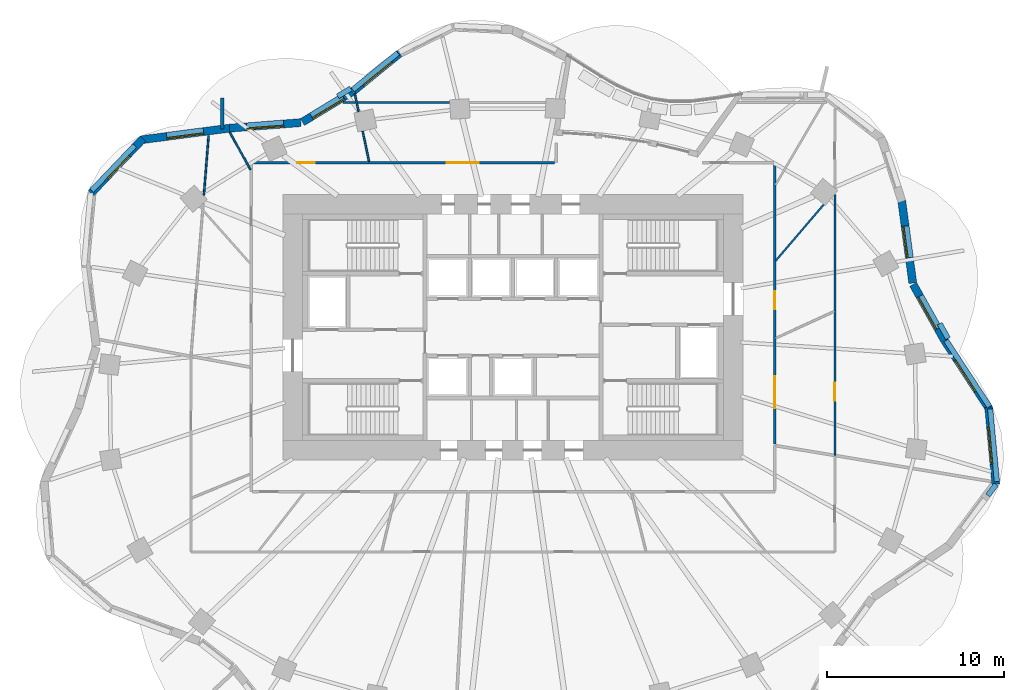
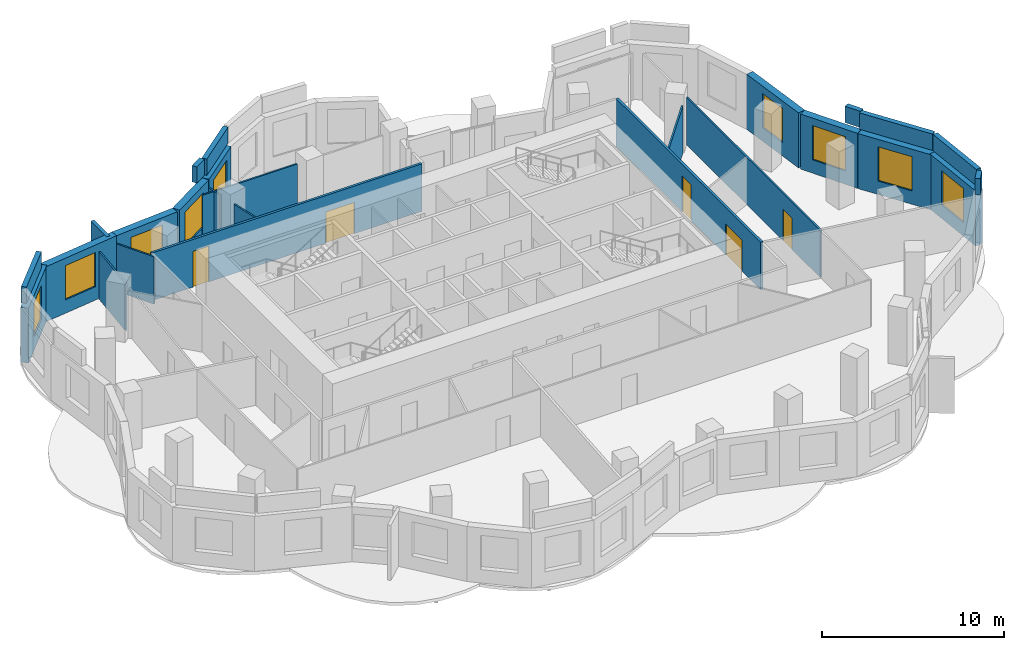
# One storey, part 8 of 11: 26 walls, 9 windows, 5 doors, 14 openings.
"""IFC4 building model written with IfcOpenShell, lengths in metres."""

import ifcopenshell
import ifcopenshell.guid

model = None  # the IFC model being written
_history = None  # IfcOwnerHistory: only IFC2X3 demands one
_inside = {}  # id of a spatial element -> (the spatial element, [elements in it])
_under = {}  # id of a project, library or spatial element -> (it, [spatial elements below it])
_declared = {}  # id of a project -> (the project, [libraries it declares])
_typed = {}  # id of a type object -> (the type object, [elements of that type])
_made_of = {}  # id of a material, layer set ... -> (it, [elements and type objects made of it])


def new_model(schema):
    """Start an empty IFC model of exactly this schema.

    Asked for "IFC4X3", IfcOpenShell would pick the latest addendum, in which some entities
    have other attributes; the version numbers below select the first issue.
    IFC2X3 requires an IfcOwnerHistory on every rooted entity: one is made here for all.
    """
    global model, _history
    if schema == "IFC4X3":
        model = ifcopenshell.file(schema_version=(4, 3, 0, 0))
    else:
        model = ifcopenshell.file(schema=schema)
    _inside.clear()
    _under.clear()
    _declared.clear()
    _typed.clear()
    _made_of.clear()
    _history = None
    if model.schema == "IFC2X3":
        org = make("IfcOrganization", Name="unknown")
        user = make(
            "IfcPersonAndOrganization",
            ThePerson=make("IfcPerson", FamilyName="unknown"),
            TheOrganization=org,
        )
        app = make(
            "IfcApplication",
            ApplicationDeveloper=org,
            Version="unknown",
            ApplicationFullName="unknown",
            ApplicationIdentifier="unknown",
        )
        _history = make(
            "IfcOwnerHistory",
            OwningUser=user,
            OwningApplication=app,
            ChangeAction="ADDED",
            CreationDate=0,
        )
    return model


def make(cls, **values):
    """One entity of the class cls with the attributes given. An attribute that is None is left unset."""
    return model.create_entity(
        cls, **{name: value for name, value in values.items() if value is not None}
    )


def rooted(cls, **values):
    """An entity with a GlobalId (a new one), such as an element, a storey or a relation."""
    return make(cls, GlobalId=ifcopenshell.guid.new(), OwnerHistory=_history, **values)


def si_unit(unit_type, name, prefix=None):
    """IfcSIUnit, for example si_unit("LENGTHUNIT", "METRE", prefix="MILLI")."""
    return make("IfcSIUnit", UnitType=unit_type, Prefix=prefix, Name=name)


def assignment(units):
    """IfcUnitAssignment: the units of a project."""
    return None if units is None else make("IfcUnitAssignment", Units=units)


def point(xyz):
    """IfcCartesianPoint."""
    return None if xyz is None else make("IfcCartesianPoint", Coordinates=xyz)


def direction(xyz):
    """IfcDirection."""
    return None if xyz is None else make("IfcDirection", DirectionRatios=xyz)


def frame(location, z_axis=None, x_axis=None):
    """IfcAxis2Placement3D, a coordinate frame: its origin and axes. An axis left out is left unset."""
    return make(
        "IfcAxis2Placement3D",
        Location=point(location),
        Axis=direction(z_axis),
        RefDirection=direction(x_axis),
    )


def frame_2d(location, x_axis=None):
    """IfcAxis2Placement2D, a coordinate frame in the plane: its origin and x axis."""
    return make(
        "IfcAxis2Placement2D", Location=point(location), RefDirection=direction(x_axis)
    )


def origin():
    """The frame at (0, 0, 0) with its axes left unset."""
    return frame((0.0, 0.0, 0.0))


def place(relative_to, where):
    """IfcLocalPlacement: puts the frame where relative to a parent placement (None: the world)."""
    return make(
        "IfcLocalPlacement", PlacementRelTo=relative_to, RelativePlacement=where
    )


def context(
    kind, dimensions, precision=None, world=None, true_north=None, identifier=None
):
    """IfcGeometricRepresentationContext, for example the 3D "Model" context."""
    return make(
        "IfcGeometricRepresentationContext",
        ContextIdentifier=identifier,
        ContextType=kind,
        CoordinateSpaceDimension=dimensions,
        Precision=precision,
        WorldCoordinateSystem=world,
        TrueNorth=true_north,
    )


def subcontext(parent, identifier, kind, view, scale=None):
    """IfcGeometricRepresentationSubContext, for example "Body" below "Model"."""
    return make(
        "IfcGeometricRepresentationSubContext",
        ContextIdentifier=identifier,
        ContextType=kind,
        ParentContext=parent,
        TargetScale=scale,
        TargetView=view,
    )


def project(units=None, contexts=None):
    """IfcProject with its units and contexts."""
    return rooted(
        "IfcProject",
        Name="project",
        RepresentationContexts=contexts,
        UnitsInContext=assignment(units),
    )


def spatial(cls, under=None, at=None, **own):
    """A site, building, storey or space (cls), placed at a placement, below another one or the project."""
    s = rooted(cls, ObjectPlacement=at, **own)
    if under is not None:
        _under.setdefault(under.id(), (under, []))[1].append(s)
    return s


def profile(cls, at=None, kind="AREA", **sizes):
    """A parametric profile (cls). Its sizes go by their IFC names, for example OverallWidth=200.0."""
    return make(cls, ProfileType=kind, Position=at, **sizes)


def rectangle(**sizes):
    """IfcRectangleProfileDef."""
    return profile("IfcRectangleProfileDef", **sizes)


def extrude(swept, where, along, depth):
    """IfcExtrudedAreaSolid: the profile swept, set in the frame where, extruded along a direction by depth."""
    return make(
        "IfcExtrudedAreaSolid",
        SweptArea=swept,
        Position=where,
        ExtrudedDirection=direction(along),
        Depth=depth,
    )


def shape(context_of_items, identifier, shape_type, items):
    """IfcShapeRepresentation: the items that make up one representation, for example the "Body"."""
    return make(
        "IfcShapeRepresentation",
        ContextOfItems=context_of_items,
        RepresentationIdentifier=identifier,
        RepresentationType=shape_type,
        Items=items,
    )


def material(Name=None, Category=None):
    """IfcMaterial."""
    return make("IfcMaterial", Name=Name, Category=Category)


def layer(
    of_material, thickness, ventilated=None, Name=None, Category=None, Priority=None
):
    """IfcMaterialLayer: one layer of a wall or slab, of a material (None: an air gap)."""
    return make(
        "IfcMaterialLayer",
        Material=of_material,
        LayerThickness=thickness,
        IsVentilated=ventilated,
        Name=Name,
        Category=Category,
        Priority=Priority,
    )


def layer_set(layers, Name=None):
    """IfcMaterialLayerSet."""
    return make("IfcMaterialLayerSet", MaterialLayers=layers, LayerSetName=Name)


def made_of(thing, what):
    """Note that an element or type object is made of a material, layer set ...; save() writes the relation."""
    if what is not None:
        _made_of.setdefault(what.id(), (what, []))[1].append(thing)
    return thing


def type_object(cls, material=None, **own):
    """A type object (cls), such as IfcWallType, which elements share."""
    return made_of(rooted(cls, **own), material)


def element(
    cls,
    number,
    at=None,
    inside=None,
    cuts=None,
    type_object=None,
    material=None,
    context=None,
    identifier="Body",
    shape_type=None,
    held_by="IfcProductDefinitionShape",
    body=None,
    shapes=None,
    **own,
):
    """One element of the class cls, such as IfcWall. Its Tag is "e" and its number.

    at: its placement. inside: the storey or other place that contains it. cuts: it is an
    opening in that element (IfcRelVoidsElement). A single representation is given by context,
    identifier, shape_type and body (its items); several are given by shapes. held_by: the class
    of the entity that holds the representations. save() writes the other relations.
    """
    e = rooted(cls, Tag="e%d" % number, ObjectPlacement=at, **own)
    if body is not None:
        shapes = [shape(context, identifier, shape_type, body)]
    if shapes is not None:
        e.Representation = make(held_by, Representations=shapes)
    if inside is not None:
        _inside.setdefault(inside.id(), (inside, []))[1].append(e)
    if cuts is not None:
        rooted(
            "IfcRelVoidsElement", RelatingBuildingElement=cuts, RelatedOpeningElement=e
        )
    if type_object is not None:
        _typed.setdefault(type_object.id(), (type_object, []))[1].append(e)
    return made_of(e, material)


def fill(opening, filler):
    """IfcRelFillsElement: the door or window that sits in an opening."""
    return rooted(
        "IfcRelFillsElement",
        RelatingOpeningElement=opening,
        RelatedBuildingElement=filler,
    )


def aggregate(whole, parts):
    """IfcRelAggregates: a whole, such as a stair, and the parts it consists of."""
    return rooted("IfcRelAggregates", RelatingObject=whole, RelatedObjects=parts)


def save(model, path):
    """Write the relations noted so far, then the file.

    IfcRelAggregates (storeys below a building ...), IfcRelContainedInSpatialStructure (elements
    in a storey), IfcRelDefinesByType, IfcRelAssociatesMaterial and IfcRelDeclares: one each for
    every whole, place, type object, material and project.
    """
    for whole, parts in _under.values():
        aggregate(whole, parts)
    for where, things in _inside.values():
        rooted(
            "IfcRelContainedInSpatialStructure",
            RelatedElements=things,
            RelatingStructure=where,
        )
    for kind, things in _typed.values():
        rooted("IfcRelDefinesByType", RelatedObjects=things, RelatingType=kind)
    for what, things in _made_of.values():
        rooted("IfcRelAssociatesMaterial", RelatedObjects=things, RelatingMaterial=what)
    for by, libraries in _declared.values():
        rooted("IfcRelDeclares", RelatingContext=by, RelatedDefinitions=libraries)
    model.write(path)


model = new_model("IFC4")

# Units and contexts
model_context = context("Model", 3, precision=1e-05, world=origin(), true_north=direction((0.0, 1.0)))
body_context = subcontext(model_context, "Body", "Model", "MODEL_VIEW")
ifc_project = project(units=[si_unit("LENGTHUNIT", "METRE"), si_unit("AREAUNIT", "SQUARE_METRE"), si_unit("VOLUMEUNIT", "CUBIC_METRE"), si_unit("PLANEANGLEUNIT", "RADIAN"), si_unit("MASSUNIT", "GRAM", prefix="KILO")], contexts=[model_context])

# Site, building, storey
site_placement = place(None, origin())
site = spatial("IfcSite", under=ifc_project, at=site_placement, CompositionType="ELEMENT")
building_placement = place(site_placement, origin())
building = spatial("IfcBuilding", under=site, at=building_placement, Name="Rubra Terraces Tower", CompositionType="ELEMENT")
storey_placement = place(building_placement, frame((0.0, 0.0, 146.10009765625)))
storey = spatial("IfcBuildingStorey", under=building, at=storey_placement, Name="L35", CompositionType="ELEMENT", Elevation=146.10009765625)

# Wall, opening, window
ifc_material_1 = material(Name="Brick masonry red-brown", Category="masonry")
ifc_layer_1 = layer(ifc_material_1, 0.449951171875)
ifc_layer_set_1 = layer_set([ifc_layer_1], Name="Brick masonry red-brown")
wall_type_1 = type_object("IfcWallType", Name="Brick facade wall 450", PredefinedType="SOLIDWALL", material=ifc_layer_set_1)
wall_1_placement = place(storey_placement, frame((26.92626953125, -0.119140625, 0.0), z_axis=(0.0, 0.0, 1.0), x_axis=(-0.547072638725, 0.837085137819, 0.0)))
wall_1 = element("IfcWall", 1, at=wall_1_placement, inside=storey, type_object=wall_type_1, Name="Facade wall L35 bay 1", PredefinedType="SOLIDWALL", context=body_context, shape_type="SweptSolid", body=[
    extrude(rectangle(XDim=4.61572265625, YDim=0.449951171875, at=frame_2d((2.307861328125, 0.0))), origin(), (0.0, 0.0, 1.0), 3.699951171875),
])
opening_1_placement = place(wall_1_placement, frame((1.2578125, 0.0, 0.89990234375)))
opening_1 = element("IfcOpeningElement", 2, at=opening_1_placement, cuts=wall_1, Name="Opening W1B", PredefinedType="OPENING", context=body_context, shape_type="SweptSolid", body=[
    extrude(rectangle(XDim=2.10009765625, YDim=2.300048828125, at=frame_2d((1.050048828125, 1.14990234375))), frame((0.0, 0.23486328125, 0.0), z_axis=(0.0, -1.0, 0.0), x_axis=(1.0, 0.0, 0.0)), (0.0, 0.0, 1.0), 0.469970703125),
])
ifc_material_2 = material(Name="Clear glass in aluminium frame", Category="aluminium")
window_type_1 = type_object("IfcWindowType", Name="Fixed deep-set window tall storey 2100 x 2300", PartitioningType="SINGLE_PANEL", PredefinedType="WINDOW", material=ifc_material_2)
window_1_placement = place(opening_1_placement, origin())
window_1 = element("IfcWindow", 3, at=window_1_placement, inside=storey, type_object=window_type_1, Name="Window L35 bay 1", OverallHeight=2.300048828125, OverallWidth=2.10009765625, PartitioningType="SINGLE_PANEL", PredefinedType="WINDOW", context=body_context, shape_type="SweptSolid", body=[
    extrude(rectangle(XDim=2.10009765625, YDim=2.300048828125, at=frame_2d((1.050048828125, 1.14990234375))), frame((0.0, 0.135009765625, 0.0), z_axis=(0.0, -1.0, 0.0), x_axis=(1.0, 0.0, 0.0)), (0.0, 0.0, 1.0), 0.06005859375),
])
fill(opening_1, window_1)

wall_2_placement = place(storey_placement, frame((24.392822265625, 3.759033203125, 0.0), z_axis=(0.0, 0.0, 1.0), x_axis=(-0.488324253004, 0.872662262234, 0.0)))
wall_2 = element("IfcWall", 4, at=wall_2_placement, inside=storey, type_object=wall_type_1, Name="Facade wall L35 bay 2", PredefinedType="SOLIDWALL", context=body_context, shape_type="SweptSolid", body=[
    extrude(rectangle(XDim=3.622802734375, YDim=0.449951171875, at=frame_2d((1.8115234375, 0.0))), origin(), (0.0, 0.0, 1.0), 3.699951171875),
])
opening_2_placement = place(wall_2_placement, frame((0.76123046875, 0.0, 0.89990234375)))
opening_2 = element("IfcOpeningElement", 5, at=opening_2_placement, cuts=wall_2, Name="Opening W1B", PredefinedType="OPENING", context=body_context, shape_type="SweptSolid", body=[
    extrude(rectangle(XDim=2.10009765625, YDim=2.300048828125, at=frame_2d((1.050048828125, 1.14990234375))), frame((0.0, 0.23486328125, 0.0), z_axis=(0.0, -1.0, 0.0), x_axis=(1.0, 0.0, 0.0)), (0.0, 0.0, 1.0), 0.469970703125),
])
window_2_placement = place(opening_2_placement, origin())
window_2 = element("IfcWindow", 6, at=window_2_placement, inside=storey, type_object=window_type_1, Name="Window L35 bay 2", OverallHeight=2.300048828125, OverallWidth=2.10009765625, PartitioningType="SINGLE_PANEL", PredefinedType="WINDOW", context=body_context, shape_type="SweptSolid", body=[
    extrude(rectangle(XDim=2.10009765625, YDim=2.300048828125, at=frame_2d((1.050048828125, 1.14990234375))), frame((0.0, 0.135009765625, 0.0), z_axis=(0.0, -1.0, 0.0), x_axis=(1.0, 0.0, 0.0)), (0.0, 0.0, 1.0), 0.06005859375),
])
fill(opening_2, window_2)

wall_3_placement = place(storey_placement, frame((22.599853515625, 6.995361328125, 0.0), z_axis=(0.0, 0.0, 1.0), x_axis=(-0.132599346032, 0.991169719792, 0.0)))
wall_3 = element("IfcWall", 7, at=wall_3_placement, inside=storey, type_object=wall_type_1, Name="Facade wall L35 bay 3", PredefinedType="SOLIDWALL", context=body_context, shape_type="SweptSolid", body=[
    extrude(rectangle(XDim=4.69873046875, YDim=0.449951171875, at=frame_2d((2.349365234375, 0.0))), origin(), (0.0, 0.0, 1.0), 3.699951171875),
])
opening_3_placement = place(wall_3_placement, frame((1.449462890625, 0.0, 0.89990234375)))
opening_3 = element("IfcOpeningElement", 8, at=opening_3_placement, cuts=wall_3, Name="Opening W6B", PredefinedType="OPENING", context=body_context, shape_type="SweptSolid", body=[
    extrude(rectangle(XDim=1.800048828125, YDim=2.300048828125, at=frame_2d((0.89990234375, 1.14990234375))), frame((0.0, 0.23486328125, 0.0), z_axis=(0.0, -1.0, 0.0), x_axis=(1.0, 0.0, 0.0)), (0.0, 0.0, 1.0), 0.469970703125),
])
window_type_2 = type_object("IfcWindowType", Name="Fixed deep-set window at wind fin tall storey 1800 x 2300", PartitioningType="SINGLE_PANEL", PredefinedType="WINDOW", material=ifc_material_2)
window_3_placement = place(opening_3_placement, origin())
window_3 = element("IfcWindow", 9, at=window_3_placement, inside=storey, type_object=window_type_2, Name="Window L35 bay 3", OverallHeight=2.300048828125, OverallWidth=1.800048828125, PartitioningType="SINGLE_PANEL", PredefinedType="WINDOW", context=body_context, shape_type="SweptSolid", body=[
    extrude(rectangle(XDim=1.800048828125, YDim=2.300048828125, at=frame_2d((0.89990234375, 1.14990234375))), frame((0.0, 0.135009765625, 0.0), z_axis=(0.0, -1.0, 0.0), x_axis=(1.0, 0.0, 0.0)), (0.0, 0.0, 1.0), 0.06005859375),
])
fill(opening_3, window_3)

wall_4_placement = place(storey_placement, frame((-6.410888671875, 19.983154296875, 0.0), z_axis=(0.0, 0.0, 1.0), x_axis=(-0.774810240287, -0.632193871804, 0.0)))
wall_4 = element("IfcWall", 10, at=wall_4_placement, inside=storey, type_object=wall_type_1, Name="Facade wall L35 bay 13", PredefinedType="SOLIDWALL", context=body_context, shape_type="SweptSolid", body=[
    extrude(rectangle(XDim=3.389404296875, YDim=0.449951171875, at=frame_2d((1.69482421875, 0.0))), origin(), (0.0, 0.0, 1.0), 3.699951171875),
])
opening_4_placement = place(wall_4_placement, frame((0.644775390625, 0.0, 0.89990234375)))
opening_4 = element("IfcOpeningElement", 11, at=opening_4_placement, cuts=wall_4, Name="Opening W1B", PredefinedType="OPENING", context=body_context, shape_type="SweptSolid", body=[
    extrude(rectangle(XDim=2.10009765625, YDim=2.300048828125, at=frame_2d((1.050048828125, 1.14990234375))), frame((0.0, 0.23486328125, 0.0), z_axis=(0.0, -1.0, 0.0), x_axis=(1.0, 0.0, 0.0)), (0.0, 0.0, 1.0), 0.469970703125),
])
window_4_placement = place(opening_4_placement, origin())
window_4 = element("IfcWindow", 12, at=window_4_placement, inside=storey, type_object=window_type_1, Name="Window L35 bay 13", OverallHeight=2.300048828125, OverallWidth=2.10009765625, PartitioningType="SINGLE_PANEL", PredefinedType="WINDOW", context=body_context, shape_type="SweptSolid", body=[
    extrude(rectangle(XDim=2.10009765625, YDim=2.300048828125, at=frame_2d((1.050048828125, 1.14990234375))), frame((0.0, 0.135009765625, 0.0), z_axis=(0.0, -1.0, 0.0), x_axis=(1.0, 0.0, 0.0)), (0.0, 0.0, 1.0), 0.06005859375),
])
fill(opening_4, window_4)

wall_5_placement = place(storey_placement, frame((-9.06298828125, 17.82275390625, 0.0), z_axis=(0.0, 0.0, 1.0), x_axis=(-0.854622263029, -0.519250216693, 0.0)))
wall_5 = element("IfcWall", 13, at=wall_5_placement, inside=storey, type_object=wall_type_1, Name="Facade wall L35 bay 14", PredefinedType="SOLIDWALL", context=body_context, shape_type="SweptSolid", body=[
    extrude(rectangle(XDim=3.32470703125, YDim=0.449951171875, at=frame_2d((1.662353515625, 0.0))), origin(), (0.0, 0.0, 1.0), 3.699951171875),
])
opening_5_placement = place(wall_5_placement, frame((0.6123046875, 0.0, 0.89990234375)))
opening_5 = element("IfcOpeningElement", 14, at=opening_5_placement, cuts=wall_5, Name="Opening W1B", PredefinedType="OPENING", context=body_context, shape_type="SweptSolid", body=[
    extrude(rectangle(XDim=2.10009765625, YDim=2.300048828125, at=frame_2d((1.050048828125, 1.14990234375))), frame((0.0, 0.23486328125, 0.0), z_axis=(0.0, -1.0, 0.0), x_axis=(1.0, 0.0, 0.0)), (0.0, 0.0, 1.0), 0.469970703125),
])
window_5_placement = place(opening_5_placement, origin())
window_5 = element("IfcWindow", 15, at=window_5_placement, inside=storey, type_object=window_type_1, Name="Window L35 bay 14", OverallHeight=2.300048828125, OverallWidth=2.10009765625, PartitioningType="SINGLE_PANEL", PredefinedType="WINDOW", context=body_context, shape_type="SweptSolid", body=[
    extrude(rectangle(XDim=2.10009765625, YDim=2.300048828125, at=frame_2d((1.050048828125, 1.14990234375))), frame((0.0, 0.135009765625, 0.0), z_axis=(0.0, -1.0, 0.0), x_axis=(1.0, 0.0, 0.0)), (0.0, 0.0, 1.0), 0.06005859375),
])
fill(opening_5, window_5)

wall_6_placement = place(storey_placement, frame((-11.9951171875, 16.06689453125, 0.0), z_axis=(0.0, 0.0, 1.0), x_axis=(-0.996967993416, -0.077812724559, 0.0)))
wall_6 = element("IfcWall", 16, at=wall_6_placement, inside=storey, type_object=wall_type_1, Name="Facade wall L35 bay 15", PredefinedType="SOLIDWALL", context=body_context, shape_type="SweptSolid", body=[
    extrude(rectangle(XDim=4.04736328125, YDim=0.449951171875, at=frame_2d((2.023681640625, 0.0))), origin(), (0.0, 0.0, 1.0), 3.699951171875),
])
opening_6_placement = place(wall_6_placement, frame((0.9736328125, 0.0, 0.89990234375)))
opening_6 = element("IfcOpeningElement", 17, at=opening_6_placement, cuts=wall_6, Name="Opening W1B", PredefinedType="OPENING", context=body_context, shape_type="SweptSolid", body=[
    extrude(rectangle(XDim=2.10009765625, YDim=2.300048828125, at=frame_2d((1.050048828125, 1.14990234375))), frame((0.0, 0.23486328125, 0.0), z_axis=(0.0, -1.0, 0.0), x_axis=(1.0, 0.0, 0.0)), (0.0, 0.0, 1.0), 0.469970703125),
])
window_6_placement = place(opening_6_placement, origin())
window_6 = element("IfcWindow", 18, at=window_6_placement, inside=storey, type_object=window_type_1, Name="Window L35 bay 15", OverallHeight=2.300048828125, OverallWidth=2.10009765625, PartitioningType="SINGLE_PANEL", PredefinedType="WINDOW", context=body_context, shape_type="SweptSolid", body=[
    extrude(rectangle(XDim=2.10009765625, YDim=2.300048828125, at=frame_2d((1.050048828125, 1.14990234375))), frame((0.0, 0.135009765625, 0.0), z_axis=(0.0, -1.0, 0.0), x_axis=(1.0, 0.0, 0.0)), (0.0, 0.0, 1.0), 0.06005859375),
])
fill(opening_6, window_6)

wall_7_placement = place(storey_placement, frame((-16.019287109375, 15.75341796875, 0.0), z_axis=(0.0, 0.0, 1.0), x_axis=(-0.991409967396, -0.130790965086, 0.0)))
wall_7 = element("IfcWall", 19, at=wall_7_placement, inside=storey, type_object=wall_type_1, Name="Facade wall L35 bay 16", PredefinedType="SOLIDWALL", context=body_context, shape_type="SweptSolid", body=[
    extrude(rectangle(XDim=5.06787109375, YDim=0.449951171875, at=frame_2d((2.533935546875, 0.0))), origin(), (0.0, 0.0, 1.0), 3.699951171875),
])
opening_7_placement = place(wall_7_placement, frame((1.48388671875, 0.0, 0.89990234375)))
opening_7 = element("IfcOpeningElement", 20, at=opening_7_placement, cuts=wall_7, Name="Opening W1B", PredefinedType="OPENING", context=body_context, shape_type="SweptSolid", body=[
    extrude(rectangle(XDim=2.10009765625, YDim=2.300048828125, at=frame_2d((1.050048828125, 1.14990234375))), frame((0.0, 0.23486328125, 0.0), z_axis=(0.0, -1.0, 0.0), x_axis=(1.0, 0.0, 0.0)), (0.0, 0.0, 1.0), 0.469970703125),
])
window_7_placement = place(opening_7_placement, origin())
window_7 = element("IfcWindow", 21, at=window_7_placement, inside=storey, type_object=window_type_1, Name="Window L35 bay 16", OverallHeight=2.300048828125, OverallWidth=2.10009765625, PartitioningType="SINGLE_PANEL", PredefinedType="WINDOW", context=body_context, shape_type="SweptSolid", body=[
    extrude(rectangle(XDim=2.10009765625, YDim=2.300048828125, at=frame_2d((1.050048828125, 1.14990234375))), frame((0.0, 0.135009765625, 0.0), z_axis=(0.0, -1.0, 0.0), x_axis=(1.0, 0.0, 0.0)), (0.0, 0.0, 1.0), 0.06005859375),
])
fill(opening_7, window_7)

wall_8_placement = place(storey_placement, frame((-20.914306640625, 15.15771484375, 0.0), z_axis=(0.0, 0.0, 1.0), x_axis=(-0.690057851873, -0.723754213161, 0.0)))
wall_8 = element("IfcWall", 22, at=wall_8_placement, inside=storey, type_object=wall_type_1, Name="Facade wall L35 bay 17", PredefinedType="SOLIDWALL", context=body_context, shape_type="SweptSolid", body=[
    extrude(rectangle(XDim=4.2529296875, YDim=0.449951171875, at=frame_2d((2.12646484375, 0.0))), origin(), (0.0, 0.0, 1.0), 3.699951171875),
])
opening_8_placement = place(wall_8_placement, frame((1.2265625, 0.0, 0.89990234375)))
opening_8 = element("IfcOpeningElement", 23, at=opening_8_placement, cuts=wall_8, Name="Opening W6B", PredefinedType="OPENING", context=body_context, shape_type="SweptSolid", body=[
    extrude(rectangle(XDim=1.800048828125, YDim=2.300048828125, at=frame_2d((0.89990234375, 1.14990234375))), frame((0.0, 0.23486328125, 0.0), z_axis=(0.0, -1.0, 0.0), x_axis=(1.0, 0.0, 0.0)), (0.0, 0.0, 1.0), 0.469970703125),
])
window_8_placement = place(opening_8_placement, origin())
window_8 = element("IfcWindow", 24, at=window_8_placement, inside=storey, type_object=window_type_2, Name="Window L35 bay 17", OverallHeight=2.300048828125, OverallWidth=1.800048828125, PartitioningType="SINGLE_PANEL", PredefinedType="WINDOW", context=body_context, shape_type="SweptSolid", body=[
    extrude(rectangle(XDim=1.800048828125, YDim=2.300048828125, at=frame_2d((0.89990234375, 1.14990234375))), frame((0.0, 0.135009765625, 0.0), z_axis=(0.0, -1.0, 0.0), x_axis=(1.0, 0.0, 0.0)), (0.0, 0.0, 1.0), 0.06005859375),
])
fill(opening_8, window_8)

wall_9_placement = place(storey_placement, frame((27.2958984375, -4.379638671875, 0.0), z_axis=(0.0, 0.0, 1.0), x_axis=(-0.092079421996, 0.995751665851, 0.0)))
wall_9 = element("IfcWall", 25, at=wall_9_placement, inside=storey, type_object=wall_type_1, Name="Facade wall L35 bay 40", PredefinedType="SOLIDWALL", context=body_context, shape_type="SweptSolid", body=[
    extrude(rectangle(XDim=4.37744140625, YDim=0.449951171875, at=frame_2d((2.188720703125, 0.0))), origin(), (0.0, 0.0, 1.0), 3.699951171875),
])
opening_9_placement = place(wall_9_placement, frame((1.138916015625, 0.0, 0.89990234375)))
opening_9 = element("IfcOpeningElement", 26, at=opening_9_placement, cuts=wall_9, Name="Opening W1B", PredefinedType="OPENING", context=body_context, shape_type="SweptSolid", body=[
    extrude(rectangle(XDim=2.10009765625, YDim=2.300048828125, at=frame_2d((1.050048828125, 1.14990234375))), frame((0.0, 0.23486328125, 0.0), z_axis=(0.0, -1.0, 0.0), x_axis=(1.0, 0.0, 0.0)), (0.0, 0.0, 1.0), 0.469970703125),
])
window_9_placement = place(opening_9_placement, origin())
window_9 = element("IfcWindow", 27, at=window_9_placement, inside=storey, type_object=window_type_1, Name="Window L35 bay 40", OverallHeight=2.300048828125, OverallWidth=2.10009765625, PartitioningType="SINGLE_PANEL", PredefinedType="WINDOW", context=body_context, shape_type="SweptSolid", body=[
    extrude(rectangle(XDim=2.10009765625, YDim=2.300048828125, at=frame_2d((1.050048828125, 1.14990234375))), frame((0.0, 0.135009765625, 0.0), z_axis=(0.0, -1.0, 0.0), x_axis=(1.0, 0.0, 0.0)), (0.0, 0.0, 1.0), 0.06005859375),
])
fill(opening_9, window_9)

# Walls
ifc_layer_2 = layer(ifc_material_1, 0.300048828125)
ifc_layer_set_2 = layer_set([ifc_layer_2], Name="Brick masonry red-brown")
wall_type_2 = type_object("IfcWallType", Name="Brick parapet 300", PredefinedType="PARAPET", material=ifc_layer_set_2)
wall_10_placement = place(storey_placement, frame((26.934326171875, 0.005615234375, 3.89990234375), z_axis=(0.0, 0.0, 1.0), x_axis=(-0.547070260179, 0.837086692301, 0.0)))
element("IfcWall", 28, at=wall_10_placement, inside=storey, type_object=wall_type_2, Name="Parapet L35 bay 1", PredefinedType="PARAPET", context=body_context, shape_type="SweptSolid", body=[
    extrude(rectangle(XDim=4.48095703125, YDim=0.300048828125, at=frame_2d((2.240478515625, 0.0))), origin(), (0.0, 0.0, 1.0), 1.10009765625),
])
wall_11_placement = place(storey_placement, frame((24.592041015625, 3.86376953125, 3.89990234375), z_axis=(0.0, 0.0, 1.0), x_axis=(-0.488379082049, 0.872631578742, 0.0)))
element("IfcWall", 29, at=wall_11_placement, inside=storey, type_object=wall_type_2, Name="Parapet L35 bay 2", PredefinedType="PARAPET", context=body_context, shape_type="SweptSolid", body=[
    extrude(rectangle(XDim=0.96142578125, YDim=0.300048828125, at=frame_2d((0.480712890625, 0.0))), origin(), (0.0, 0.0, 1.0), 1.10009765625),
])
wall_12_placement = place(storey_placement, frame((-6.5048828125, 20.00341796875, 3.89990234375), z_axis=(0.0, 0.0, 1.0), x_axis=(-0.774774389425, -0.632237807705, 0.0)))
element("IfcWall", 30, at=wall_12_placement, inside=storey, type_object=wall_type_2, Name="Parapet L35 bay 13", PredefinedType="PARAPET", context=body_context, shape_type="SweptSolid", body=[
    extrude(rectangle(XDim=3.298828125, YDim=0.300048828125, at=frame_2d((1.6494140625, 0.0))), origin(), (0.0, 0.0, 1.0), 1.10009765625),
])
wall_13_placement = place(storey_placement, frame((-9.164306640625, 17.9970703125, 3.89990234375), z_axis=(0.0, 0.0, 1.0), x_axis=(-0.854630396294, -0.519236830098, 0.0)))
element("IfcWall", 31, at=wall_13_placement, inside=storey, type_object=wall_type_2, Name="Parapet L35 bay 14", PredefinedType="PARAPET", context=body_context, shape_type="SweptSolid", body=[
    extrude(rectangle(XDim=0.86181640625, YDim=0.300048828125, at=frame_2d((0.430908203125, 0.0))), origin(), (0.0, 0.0, 1.0), 1.10009765625),
])
wall_14_placement = place(storey_placement, frame((-21.388427734375, 14.768798828125, 3.89990234375), z_axis=(0.0, 0.0, 1.0), x_axis=(-0.690144808601, -0.723671294969, 0.0)))
element("IfcWall", 32, at=wall_14_placement, inside=storey, type_object=wall_type_2, Name="Parapet L35 bay 17", PredefinedType="PARAPET", context=body_context, shape_type="SweptSolid", body=[
    extrude(rectangle(XDim=3.510009765625, YDim=0.300048828125, at=frame_2d((1.7548828125, 0.0))), origin(), (0.0, 0.0, 1.0), 1.10009765625),
])
wall_15_placement = place(storey_placement, frame((26.845458984375, -5.01318359375, 3.89990234375), z_axis=(0.0, 0.0, 1.0), x_axis=(0.597500991774, 0.801868171727, 0.0)))
element("IfcWall", 33, at=wall_15_placement, inside=storey, type_object=wall_type_2, Name="Parapet L35 bay 39", PredefinedType="PARAPET", context=body_context, shape_type="SweptSolid", body=[
    extrude(rectangle(XDim=0.782470703125, YDim=0.300048828125, at=frame_2d((0.39111328125, 0.0))), origin(), (0.0, 0.0, 1.0), 1.10009765625),
])
wall_16_placement = place(storey_placement, frame((27.357421875, -4.228515625, 3.89990234375), z_axis=(0.0, 0.0, 1.0), x_axis=(-0.092082019937, 0.99575142561, 0.0)))
element("IfcWall", 34, at=wall_16_placement, inside=storey, type_object=wall_type_2, Name="Parapet L35 bay 40", PredefinedType="PARAPET", context=body_context, shape_type="SweptSolid", body=[
    extrude(rectangle(XDim=4.128173828125, YDim=0.300048828125, at=frame_2d((2.06396484375, 0.0))), origin(), (0.0, 0.0, 1.0), 1.10009765625),
])
ifc_layer_3 = layer(ifc_material_1, 0.199951171875)
ifc_layer_set_3 = layer_set([ifc_layer_3], Name="Brick masonry red-brown")
wall_type_3 = type_object("IfcWallType", Name="Brick wind fin 200", PredefinedType="SOLIDWALL", material=ifc_layer_set_3)
wall_17_placement = place(storey_placement, frame((-16.43505859375, 15.7119140625, 0.0), z_axis=(0.0, 0.0, 1.0), x_axis=(0.000279017846, 0.999999961075, 0.0)))
element("IfcWall", 35, at=wall_17_placement, inside=storey, type_object=wall_type_3, Name="Wind fin L35 7", PredefinedType="SOLIDWALL", context=body_context, shape_type="SweptSolid", body=[
    extrude(rectangle(XDim=1.75, YDim=0.199951171875, at=frame_2d((0.875, 0.0))), origin(), (0.0, 0.0, 1.0), 3.699951171875),
])

# Wall, openings, doors
ifc_material_3 = material(Name="Plasterboard on steel stud, mineral wool infill", Category="steel")
ifc_layer_4 = layer(ifc_material_3, 0.14990234375)
ifc_layer_set_4 = layer_set([ifc_layer_4], Name="Plasterboard on steel stud, mineral wool infill")
wall_type_4 = type_object("IfcWallType", Name="CORRIDOR PARTITION 150", PredefinedType="PARTITIONING", material=ifc_layer_set_4)
wall_18_placement = place(storey_placement, frame((2.359619140625, 13.800048828125, 0.0), z_axis=(0.0, 0.0, 1.0), x_axis=(-1.0, 0.0, 0.0)))
wall_18 = element("IfcWall", 36, at=wall_18_placement, inside=storey, type_object=wall_type_4, Name="PARTITION", PredefinedType="PARTITIONING", context=body_context, shape_type="SweptSolid", body=[
    extrude(rectangle(XDim=17.15966796875, YDim=0.14990234375, at=frame_2d((8.579833984375, 0.0))), origin(), (0.0, 0.0, 1.0), 3.197998046875),
])
opening_10_placement = place(wall_18_placement, frame((4.302978515625, 0.0, 0.0)))
opening_10 = element("IfcOpeningElement", 37, at=opening_10_placement, cuts=wall_18, Name="Opening 35-101", PredefinedType="OPENING", context=body_context, shape_type="SweptSolid", body=[
    extrude(rectangle(XDim=1.800048828125, YDim=2.10009765625, at=frame_2d((0.89990234375, 1.050048828125))), frame((0.0, 0.0849609375, 0.0), z_axis=(0.0, -1.0, 0.0), x_axis=(1.0, 0.0, 0.0)), (0.0, 0.0, 1.0), 0.169921875),
])
opening_11_placement = place(wall_18_placement, frame((13.552978515625, 0.0, 0.0)))
opening_11 = element("IfcOpeningElement", 38, at=opening_11_placement, cuts=wall_18, Name="Opening 35-102", PredefinedType="OPENING", context=body_context, shape_type="SweptSolid", body=[
    extrude(rectangle(XDim=1.0, YDim=2.39990234375, at=frame_2d((0.5, 1.199951171875))), frame((0.0, 0.0849609375, 0.0), z_axis=(0.0, -1.0, 0.0), x_axis=(1.0, 0.0, 0.0)), (0.0, 0.0, 1.0), 0.169921875),
])
ifc_material_4 = material(Name="Glazed aluminium meeting door leaf", Category="aluminium")
door_type_1 = type_object("IfcDoorType", Name="MEETING ROOM GLAZED DOOR 1000 X 2400", OperationType="SINGLE_SWING_LEFT", PredefinedType="DOOR", material=ifc_material_4)
door_1_placement = place(opening_11_placement, origin())
door_1 = element("IfcDoor", 39, at=door_1_placement, inside=storey, type_object=door_type_1, Name="DOOR 35-102", OperationType="SINGLE_SWING_RIGHT", OverallHeight=2.39990234375, OverallWidth=1.0, PredefinedType="DOOR", context=body_context, shape_type="SweptSolid", body=[
    extrude(rectangle(XDim=1.0, YDim=2.39990234375, at=frame_2d((0.5, 1.199951171875))), frame((0.0, 0.02490234375, 0.0), z_axis=(0.0, -1.0, 0.0), x_axis=(1.0, 0.0, 0.0)), (0.0, 0.0, 1.0), 0.050048828125),
])
fill(opening_11, door_1)
ifc_material_5 = material(Name="Painted timber door leaf, double", Category="wood")
door_type_2 = type_object("IfcDoorType", Name="ROOM DOUBLE DOOR 1800 X 2100", OperationType="DOUBLE_DOOR_SINGLE_SWING", PredefinedType="DOOR", material=ifc_material_5)
door_2_placement = place(opening_10_placement, origin())
door_2 = element("IfcDoor", 40, at=door_2_placement, inside=storey, type_object=door_type_2, Name="DOOR 35-101", OperationType="DOUBLE_DOOR_SINGLE_SWING", OverallHeight=2.10009765625, OverallWidth=1.800048828125, PredefinedType="DOOR", context=body_context, shape_type="SweptSolid", body=[
    extrude(rectangle(XDim=1.800048828125, YDim=2.10009765625, at=frame_2d((0.89990234375, 1.050048828125))), frame((0.0, 0.02490234375, 0.0), z_axis=(0.0, -1.0, 0.0), x_axis=(1.0, 0.0, 0.0)), (0.0, 0.0, 1.0), 0.050048828125),
])
fill(opening_10, door_2)

wall_19_placement = place(storey_placement, frame((14.800048828125, -2.111083984375, 0.0), z_axis=(0.0, 0.0, 1.0), x_axis=(0.0, 1.0, 0.0)))
wall_19 = element("IfcWall", 41, at=wall_19_placement, inside=storey, type_object=wall_type_4, Name="PARTITION", PredefinedType="PARTITIONING", context=body_context, shape_type="SweptSolid", body=[
    extrude(rectangle(XDim=15.9111328125, YDim=0.14990234375, at=frame_2d((7.95556640625, 0.0))), origin(), (0.0, 0.0, 1.0), 3.197998046875),
])
opening_12_placement = place(wall_19_placement, frame((2.044921875, 0.0, 0.0)))
opening_12 = element("IfcOpeningElement", 42, at=opening_12_placement, cuts=wall_19, Name="Opening 35-113", PredefinedType="OPENING", context=body_context, shape_type="SweptSolid", body=[
    extrude(rectangle(XDim=1.800048828125, YDim=2.10009765625, at=frame_2d((0.89990234375, 1.050048828125))), frame((0.0, 0.0849609375, 0.0), z_axis=(0.0, -1.0, 0.0), x_axis=(1.0, 0.0, 0.0)), (0.0, 0.0, 1.0), 0.169921875),
])
opening_13_placement = place(wall_19_placement, frame((7.636962890625, 0.0, 0.0)))
opening_13 = element("IfcOpeningElement", 43, at=opening_13_placement, cuts=wall_19, Name="Opening 35-115", PredefinedType="OPENING", context=body_context, shape_type="SweptSolid", body=[
    extrude(rectangle(XDim=1.0, YDim=2.39990234375, at=frame_2d((0.5, 1.199951171875))), frame((0.0, 0.0849609375, 0.0), z_axis=(0.0, -1.0, 0.0), x_axis=(1.0, 0.0, 0.0)), (0.0, 0.0, 1.0), 0.169921875),
])
door_3_placement = place(opening_13_placement, origin())
door_3 = element("IfcDoor", 44, at=door_3_placement, inside=storey, type_object=door_type_1, Name="DOOR 35-115", OperationType="SINGLE_SWING_RIGHT", OverallHeight=2.39990234375, OverallWidth=1.0, PredefinedType="DOOR", context=body_context, shape_type="SweptSolid", body=[
    extrude(rectangle(XDim=1.0, YDim=2.39990234375, at=frame_2d((0.5, 1.199951171875))), frame((0.0, 0.02490234375, 0.0), z_axis=(0.0, -1.0, 0.0), x_axis=(1.0, 0.0, 0.0)), (0.0, 0.0, 1.0), 0.050048828125),
])
fill(opening_13, door_3)
door_4_placement = place(opening_12_placement, origin())
door_4 = element("IfcDoor", 45, at=door_4_placement, inside=storey, type_object=door_type_2, Name="DOOR 35-113", OperationType="DOUBLE_DOOR_SINGLE_SWING", OverallHeight=2.10009765625, OverallWidth=1.800048828125, PredefinedType="DOOR", context=body_context, shape_type="SweptSolid", body=[
    extrude(rectangle(XDim=1.800048828125, YDim=2.10009765625, at=frame_2d((0.89990234375, 1.050048828125))), frame((0.0, 0.02490234375, 0.0), z_axis=(0.0, -1.0, 0.0), x_axis=(1.0, 0.0, 0.0)), (0.0, 0.0, 1.0), 0.050048828125),
])
fill(opening_12, door_4)

# Walls
ifc_material_6 = material(Name="Plasterboard on steel stud", Category="steel")
ifc_layer_5 = layer(ifc_material_6, 0.10009765625)
ifc_layer_set_5 = layer_set([ifc_layer_5], Name="Plasterboard on steel stud")
wall_type_5 = type_object("IfcWallType", Name="ROOM PARTITION 100", PredefinedType="PARTITIONING", material=ifc_layer_set_5)
wall_20_placement = place(storey_placement, frame((-9.606689453125, 17.199951171875, 0.0), z_axis=(0.0, 0.0, 1.0), x_axis=(1.0, 0.0, 0.0)))
element("IfcWall", 46, at=wall_20_placement, inside=storey, type_object=wall_type_5, Name="PARTITION", PredefinedType="PARTITIONING", context=body_context, shape_type="SweptSolid", body=[
    extrude(rectangle(XDim=6.013916015625, YDim=0.10009765625, at=frame_2d((3.0068359375, 0.0))), origin(), (0.0, 0.0, 1.0), 3.183837890625),
])
wall_21_placement = place(storey_placement, frame((-17.473388671875, 11.97216796875, 0.0), z_axis=(0.0, 0.0, 1.0), x_axis=(0.079641059306, 0.996823606097, 0.0)))
element("IfcWall", 47, at=wall_21_placement, inside=storey, type_object=wall_type_5, Name="PARTITION", PredefinedType="PARTITIONING", context=body_context, shape_type="SweptSolid", body=[
    extrude(rectangle(XDim=3.353759765625, YDim=0.10009765625, at=frame_2d((1.6767578125, 0.0))), origin(), (0.0, 0.0, 1.0), 3.183837890625),
])
wall_22_placement = place(storey_placement, frame((-8.137451171875, 13.873291015625, 0.0), z_axis=(0.0, 0.0, 1.0), x_axis=(-0.205544091297, 0.978647856245, 0.0)))
element("IfcWall", 48, at=wall_22_placement, inside=storey, type_object=wall_type_5, Name="PARTITION", PredefinedType="PARTITIONING", context=body_context, shape_type="SweptSolid", body=[
    extrude(rectangle(XDim=1.7412109375, YDim=0.10009765625, at=frame_2d((0.87060546875, 0.0))), origin(), (0.0, 0.0, 1.0), 3.183837890625),
])
wall_23_placement = place(storey_placement, frame((-8.729736328125, 16.693115234375, 0.0), z_axis=(0.0, 0.0, 1.0), x_axis=(-0.2055417304, 0.978648352098, 0.0)))
element("IfcWall", 49, at=wall_23_placement, inside=storey, type_object=wall_type_5, Name="PARTITION", PredefinedType="PARTITIONING", context=body_context, shape_type="SweptSolid", body=[
    extrude(rectangle(XDim=1.050048828125, YDim=0.10009765625, at=frame_2d((0.52490234375, 0.0))), origin(), (0.0, 0.0, 1.0), 3.183837890625),
])
wall_24_placement = place(storey_placement, frame((-14.836181640625, 13.401123046875, 0.0), z_axis=(0.0, 0.0, 1.0), x_axis=(-0.483487187132, 0.875351437926, 0.0)))
element("IfcWall", 50, at=wall_24_placement, inside=storey, type_object=wall_type_5, Name="PARTITION", PredefinedType="PARTITIONING", context=body_context, shape_type="SweptSolid", body=[
    extrude(rectangle(XDim=2.4248046875, YDim=0.10009765625, at=frame_2d((1.21240234375, 0.0))), origin(), (0.0, 0.0, 1.0), 3.183837890625),
])

# Wall, opening, door
wall_25_placement = place(storey_placement, frame((18.199951171875, 12.00146484375, 0.0), z_axis=(0.0, 0.0, 1.0), x_axis=(0.0, -1.0, 0.0)))
wall_25 = element("IfcWall", 51, at=wall_25_placement, inside=storey, type_object=wall_type_5, Name="PARTITION", PredefinedType="PARTITIONING", context=body_context, shape_type="SweptSolid", body=[
    extrude(rectangle(XDim=14.732421875, YDim=0.10009765625, at=frame_2d((7.3662109375, 0.0))), origin(), (0.0, 0.0, 1.0), 3.183837890625),
])
opening_14_placement = place(wall_25_placement, frame((10.652099609375, 0.0, 0.0)))
opening_14 = element("IfcOpeningElement", 52, at=opening_14_placement, cuts=wall_25, Name="Opening 35-114", PredefinedType="OPENING", context=body_context, shape_type="SweptSolid", body=[
    extrude(rectangle(XDim=1.0, YDim=2.10009765625, at=frame_2d((0.5, 1.050048828125))), frame((0.0, 0.06005859375, 0.0), z_axis=(0.0, -1.0, 0.0), x_axis=(1.0, 0.0, 0.0)), (0.0, 0.0, 1.0), 0.1201171875),
])
ifc_material_7 = material(Name="Painted timber door leaf", Category="wood")
door_type_3 = type_object("IfcDoorType", Name="ROOM DOOR 1000 X 2100", OperationType="SINGLE_SWING_LEFT", PredefinedType="DOOR", material=ifc_material_7)
door_5_placement = place(opening_14_placement, origin())
door_5 = element("IfcDoor", 53, at=door_5_placement, inside=storey, type_object=door_type_3, Name="DOOR 35-114", OperationType="SINGLE_SWING_LEFT", OverallHeight=2.10009765625, OverallWidth=1.0, PredefinedType="DOOR", context=body_context, shape_type="SweptSolid", body=[
    extrude(rectangle(XDim=1.0, YDim=2.10009765625, at=frame_2d((0.5, 1.050048828125))), frame((0.0, 0.02490234375, 0.0), z_axis=(0.0, -1.0, 0.0), x_axis=(1.0, 0.0, 0.0)), (0.0, 0.0, 1.0), 0.050048828125),
])
fill(opening_14, door_5)

# Wall
wall_26_placement = place(storey_placement, frame((14.8486328125, 8.25341796875, 0.0), z_axis=(0.0, 0.0, 1.0), x_axis=(0.649813826089, 0.76009340967, 0.0)))
element("IfcWall", 54, at=wall_26_placement, inside=storey, type_object=wall_type_5, Name="PARTITION", PredefinedType="PARTITIONING", context=body_context, shape_type="SweptSolid", body=[
    extrude(rectangle(XDim=4.177490234375, YDim=0.10009765625, at=frame_2d((2.0888671875, 0.0))), origin(), (0.0, 0.0, 1.0), 3.183837890625),
])

save(model, "model.ifc")
